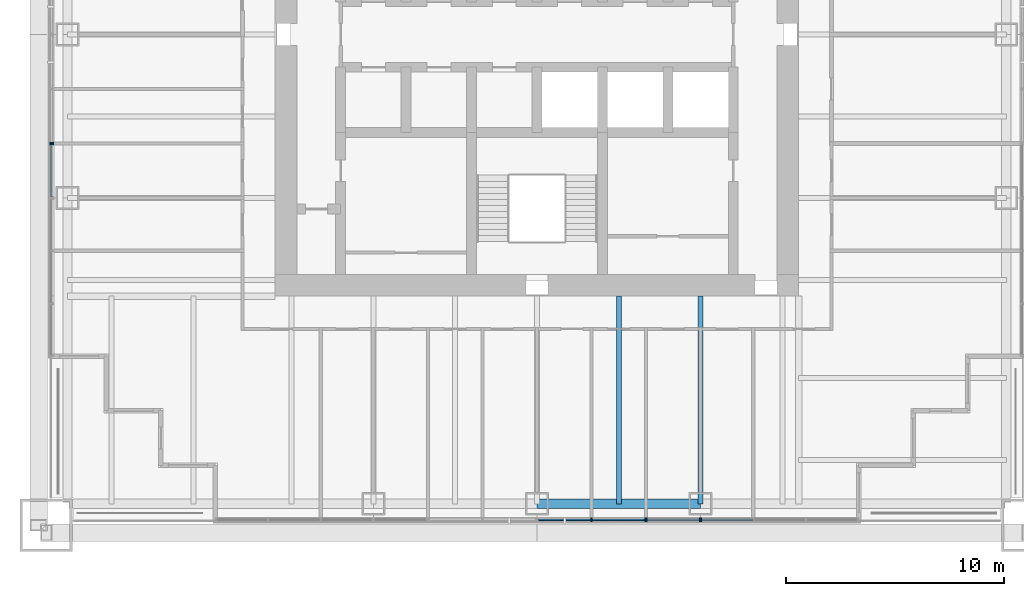
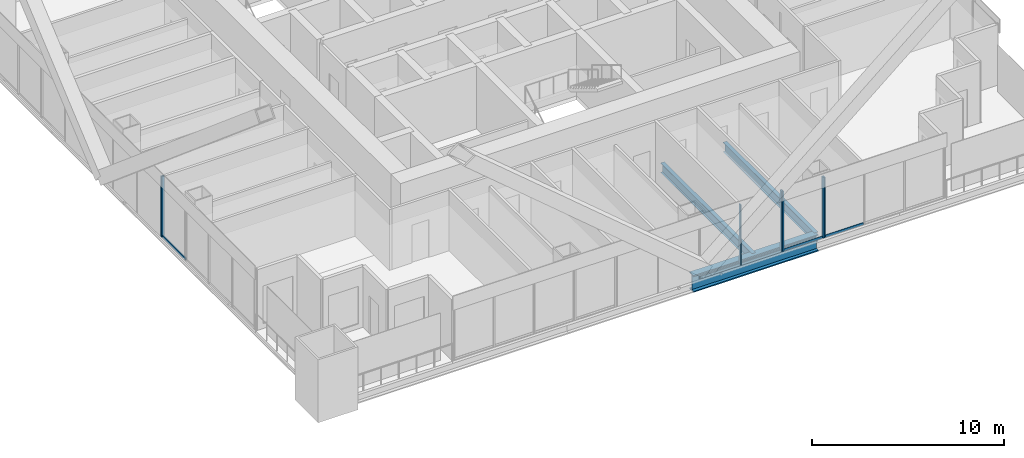
# One storey, part 3 of 17: 12 members, 3 beams, 5 elements without a shape of their own.
"""IFC4 building model written with IfcOpenShell, lengths in metres."""

from ifc_helpers import new_model, si_unit, direction, frame, origin, origin_2d, place, context, subcontext, project, spatial, rectangle, i_section, extrude, material, material_profile, profile_set, type_object, element, aggregate, save


model = new_model("IFC4")

# Units and contexts
model_context = context("Model", 3, precision=1e-05, world=origin(), true_north=direction((0.0, 1.0)))
body_context = subcontext(model_context, "Body", "Model", "MODEL_VIEW")
ifc_project = project(units=[si_unit("LENGTHUNIT", "METRE"), si_unit("AREAUNIT", "SQUARE_METRE"), si_unit("VOLUMEUNIT", "CUBIC_METRE"), si_unit("PLANEANGLEUNIT", "RADIAN"), si_unit("MASSUNIT", "GRAM", prefix="KILO")], contexts=[model_context])

# Site, building, storey
site_placement = place(None, origin())
site = spatial("IfcSite", under=ifc_project, at=site_placement, CompositionType="ELEMENT")
building_placement = place(site_placement, origin())
building = spatial("IfcBuilding", under=site, at=building_placement, Name="Tarangal Relay Tower", CompositionType="ELEMENT")
storey_placement = place(building_placement, frame((0.0, 0.0, 233.89990234375)))
storey = spatial("IfcBuildingStorey", under=building, at=storey_placement, Name="L50", CompositionType="ELEMENT", Elevation=233.89990234375)

# Beams
ifc_material_1 = material(Name="Steel ASTM A992", Category="steel")
ifc_material_profile_1 = material_profile(ifc_material_1, i_section(OverallWidth=0.41650390625, OverallDepth=1.0693359375, WebThickness=0.0390625, FlangeThickness=0.070068359375, at=origin_2d()), Name="W40X503")
ifc_profile_set_1 = profile_set([ifc_material_profile_1], Name="Steel ASTM A992")
beam_type_1 = type_object("IfcBeamType", Name="Edge girder W40X503", PredefinedType="SPANDREL", material=ifc_profile_set_1)
beam_placement = place(storey_placement, frame((7.5, -21.514892578125, -0.6845703125), z_axis=(-1.0, 0.0, 0.0), x_axis=(0.0, -1.0, 0.0)))
element("IfcBeam", 1, at=beam_placement, inside=storey, type_object=beam_type_1, Name="Edge girder EG8 S L50", PredefinedType="SPANDREL", context=body_context, shape_type="SweptSolid", body=[
    extrude(i_section(OverallWidth=0.41650390625, OverallDepth=1.0693359375, WebThickness=0.0390625, FlangeThickness=0.070068359375, at=origin_2d()), origin(), (0.0, 0.0, 1.0), 7.5),
])
ifc_material_profile_2 = material_profile(ifc_material_1, i_section(OverallWidth=0.22900390625, OverallDepth=0.612060546875, WebThickness=0.011962890625, FlangeThickness=0.01953125, at=origin_2d()), Name="W24X84")
ifc_profile_set_2 = profile_set([ifc_material_profile_2], Name="Steel ASTM A992")
beam_type_2 = type_object("IfcBeamType", Name="Floor beam W24X84", PredefinedType="BEAM", material=ifc_profile_set_2)
for number, where, z_axis, x_axis, name in (
    (2, (7.5, -12.0, -0.455810546875), (0.0, -1.0, 0.0), (1.0, 0.0, 0.0), "Floor beam RB12 S L50"),
    (3, (3.75, -12.0, -0.455810546875), (0.0, -1.0, 0.0), (1.0, 0.0, 0.0), "Floor beam RB12 S L50"),
):
    element("IfcBeam", number, at=place(storey_placement, frame(where, z_axis=z_axis, x_axis=x_axis)), inside=storey, type_object=beam_type_2, Name=name, PredefinedType="BEAM", context=body_context, shape_type="SweptSolid", body=[
        extrude(i_section(OverallWidth=0.22900390625, OverallDepth=0.612060546875, WebThickness=0.011962890625, FlangeThickness=0.01953125, at=origin_2d()), origin(), (0.0, 0.0, 1.0), 9.514892578125),
    ])

# Curtain wall, member
ifc_material_2 = material(Name="Unitised curtain wall, dark glass and black aluminium", Category="aluminium")
curtain_wall_type_1 = type_object("IfcCurtainWallType", Name="Curtain wall CW-A", PredefinedType="USERDEFINED", material=ifc_material_2)
curtain_wall_1_placement = place(storey_placement, origin())
curtain_wall_1 = element("IfcCurtainWall", 4, at=curtain_wall_1_placement, inside=storey, type_object=curtain_wall_type_1, Name="Curtain wall CW-A S facade L50", ObjectType="UNITISED CURTAIN WALL", PredefinedType="USERDEFINED")
ifc_material_3 = material(Name="Black anodised aluminium mullion", Category="aluminium")
ifc_material_profile_3 = material_profile(ifc_material_3, rectangle(XDim=0.175048828125, YDim=0.06494140625, at=origin_2d()), Name="CW-AM 65X175")
ifc_profile_set_3 = profile_set([ifc_material_profile_3], Name="Black anodised aluminium mullion")
member_type_1 = type_object("IfcMemberType", Name="Mullion CW-A 65 x 175", PredefinedType="MULLION", material=ifc_profile_set_3)
member_1_placement = place(storey_placement, frame((7.532470703125, -22.25, 0.0), z_axis=(0.0, 0.0, 1.0), x_axis=(0.0, -1.0, 0.0)))
member_1 = element("IfcMember", 5, at=member_1_placement, type_object=member_type_1, Name="CW-A mullion 4", PredefinedType="MULLION", context=body_context, shape_type="SweptSolid", body=[
    extrude(rectangle(XDim=0.175048828125, YDim=0.06494140625, at=origin_2d()), origin(), (0.0, 0.0, 1.0), 3.85009765625),
])

# Curtain wall, members
curtain_wall_2_placement = place(storey_placement, origin())
curtain_wall_2 = element("IfcCurtainWall", 6, at=curtain_wall_2_placement, inside=storey, type_object=curtain_wall_type_1, Name="Curtain wall CW-A S facade L50", ObjectType="UNITISED CURTAIN WALL", PredefinedType="USERDEFINED")
member_2_placement = place(storey_placement, frame((7.467529296875, -22.25, 0.0), z_axis=(0.0, 0.0, 1.0), x_axis=(0.0, -1.0, 0.0)))
member_2 = element("IfcMember", 7, at=member_2_placement, type_object=member_type_1, Name="CW-A mullion 1", PredefinedType="MULLION", context=body_context, shape_type="SweptSolid", body=[
    extrude(rectangle(XDim=0.175048828125, YDim=0.06494140625, at=origin_2d()), origin(), (0.0, 0.0, 1.0), 3.85009765625),
])
member_3_placement = place(storey_placement, frame((5.032470703125, -22.25, 0.0), z_axis=(0.0, 0.0, 1.0), x_axis=(0.0, -1.0, 0.0)))
member_3 = element("IfcMember", 8, at=member_3_placement, type_object=member_type_1, Name="CW-A mullion 2", PredefinedType="MULLION", context=body_context, shape_type="SweptSolid", body=[
    extrude(rectangle(XDim=0.175048828125, YDim=0.06494140625, at=origin_2d()), origin(), (0.0, 0.0, 1.0), 3.85009765625),
])

# Curtain wall, member
curtain_wall_3_placement = place(storey_placement, origin())
curtain_wall_3 = element("IfcCurtainWall", 9, at=curtain_wall_3_placement, inside=storey, type_object=curtain_wall_type_1, Name="Curtain wall CW-A W facade L50", ObjectType="UNITISED CURTAIN WALL", PredefinedType="USERDEFINED")
member_4_placement = place(storey_placement, frame((-22.25, -5.032470703125, 0.0), z_axis=(0.0, 0.0, 1.0), x_axis=(-1.0, 0.0, 0.0)))
member_4 = element("IfcMember", 10, at=member_4_placement, type_object=member_type_1, Name="CW-A mullion 2", PredefinedType="MULLION", context=body_context, shape_type="SweptSolid", body=[
    extrude(rectangle(XDim=0.175048828125, YDim=0.06494140625, at=origin_2d()), origin(), (0.0, 0.0, 1.0), 3.85009765625),
])

# Curtain wall, members
ifc_material_4 = material(Name="Unitised curtain wall frame, black aluminium, with metal clad infill walls", Category="aluminium")
curtain_wall_type_2 = type_object("IfcCurtainWallType", Name="Curtain wall CW-AO", PredefinedType="USERDEFINED", material=ifc_material_4)
curtain_wall_4_placement = place(storey_placement, origin())
curtain_wall_4 = element("IfcCurtainWall", 11, at=curtain_wall_4_placement, inside=storey, type_object=curtain_wall_type_2, Name="Curtain wall CW-AO S facade L50", ObjectType="UNITISED CURTAIN WALL", PredefinedType="USERDEFINED")
ifc_material_profile_4 = material_profile(ifc_material_3, rectangle(XDim=0.175048828125, YDim=0.06494140625, at=origin_2d()), Name="CW-AOM 65X175")
ifc_profile_set_4 = profile_set([ifc_material_profile_4], Name="Black anodised aluminium mullion")
member_type_2 = type_object("IfcMemberType", Name="Mullion CW-AO 65 x 175", PredefinedType="MULLION", material=ifc_profile_set_4)
member_5_placement = place(storey_placement, frame((4.967529296875, -22.25, 0.0), z_axis=(0.0, 0.0, 1.0), x_axis=(0.0, -1.0, 0.0)))
member_5 = element("IfcMember", 12, at=member_5_placement, type_object=member_type_2, Name="CW-AO mullion 1", PredefinedType="MULLION", context=body_context, shape_type="SweptSolid", body=[
    extrude(rectangle(XDim=0.175048828125, YDim=0.06494140625, at=origin_2d()), origin(), (0.0, 0.0, 1.0), 3.85009765625),
])
member_6_placement = place(storey_placement, frame((2.5, -22.25, 0.0), z_axis=(0.0, 0.0, 1.0), x_axis=(0.0, -1.0, 0.0)))
member_6 = element("IfcMember", 13, at=member_6_placement, type_object=member_type_2, Name="CW-AO mullion 2", PredefinedType="MULLION", context=body_context, shape_type="SweptSolid", body=[
    extrude(rectangle(XDim=0.175048828125, YDim=0.06494140625, at=origin_2d()), origin(), (0.0, 0.0, 1.0), 3.85009765625),
])

# Curtain wall, member
curtain_wall_5_placement = place(storey_placement, origin())
curtain_wall_5 = element("IfcCurtainWall", 14, at=curtain_wall_5_placement, inside=storey, type_object=curtain_wall_type_2, Name="Curtain wall CW-AO W facade L50", ObjectType="UNITISED CURTAIN WALL", PredefinedType="USERDEFINED")
member_7_placement = place(storey_placement, frame((-22.25, -4.967529296875, 0.0), z_axis=(0.0, 0.0, 1.0), x_axis=(-1.0, 0.0, 0.0)))
member_7 = element("IfcMember", 15, at=member_7_placement, type_object=member_type_2, Name="CW-AO mullion 1", PredefinedType="MULLION", context=body_context, shape_type="SweptSolid", body=[
    extrude(rectangle(XDim=0.175048828125, YDim=0.06494140625, at=origin_2d()), origin(), (0.0, 0.0, 1.0), 3.85009765625),
])
aggregate(curtain_wall_5, [member_7])

# Member
ifc_material_5 = material(Name="Black anodised aluminium transom", Category="aluminium")
ifc_material_profile_5 = material_profile(ifc_material_5, rectangle(XDim=0.06494140625, YDim=0.14990234375, at=origin_2d()), Name="CW-AT 65X150")
ifc_profile_set_5 = profile_set([ifc_material_profile_5], Name="Black anodised aluminium transom")
member_type_3 = type_object("IfcMemberType", Name="Transom CW-A 65 x 150", PredefinedType="USERDEFINED", material=ifc_profile_set_5)
member_8_placement = place(storey_placement, frame((9.88427734375, -22.25, 0.03271484375), z_axis=(-1.0, 0.0, 0.0), x_axis=(0.0, -1.0, 0.0)))
member_8 = element("IfcMember", 16, at=member_8_placement, type_object=member_type_3, Name="CW-A transom 3.1", ObjectType="TRANSOM", PredefinedType="USERDEFINED", context=body_context, shape_type="SweptSolid", body=[
    extrude(rectangle(XDim=0.06494140625, YDim=0.14990234375, at=origin_2d()), origin(), (0.0, 0.0, 1.0), 2.3193359375),
])

aggregate(curtain_wall_1, [member_1, member_8])

member_9_placement = place(storey_placement, frame((7.43505859375, -22.25, 0.03271484375), z_axis=(-1.0, 0.0, 0.0), x_axis=(0.0, -1.0, 0.0)))
member_9 = element("IfcMember", 17, at=member_9_placement, type_object=member_type_3, Name="CW-A transom 1.1", ObjectType="TRANSOM", PredefinedType="USERDEFINED", context=body_context, shape_type="SweptSolid", body=[
    extrude(rectangle(XDim=0.06494140625, YDim=0.14990234375, at=origin_2d()), origin(), (0.0, 0.0, 1.0), 2.3701171875),
])

aggregate(curtain_wall_2, [member_2, member_3, member_9])

member_10_placement = place(storey_placement, frame((-22.25, -7.43505859375, 0.03271484375), z_axis=(0.0, 1.0, 0.0), x_axis=(-1.0, 0.0, 0.0)))
member_10 = element("IfcMember", 18, at=member_10_placement, type_object=member_type_3, Name="CW-A transom 1.1", ObjectType="TRANSOM", PredefinedType="USERDEFINED", context=body_context, shape_type="SweptSolid", body=[
    extrude(rectangle(XDim=0.06494140625, YDim=0.14990234375, at=origin_2d()), origin(), (0.0, 0.0, 1.0), 2.3701171875),
])

aggregate(curtain_wall_3, [member_4, member_10])

ifc_material_profile_6 = material_profile(ifc_material_5, rectangle(XDim=0.06494140625, YDim=0.14990234375, at=origin_2d()), Name="CW-AOT 65X150")
ifc_profile_set_6 = profile_set([ifc_material_profile_6], Name="Black anodised aluminium transom")
member_type_4 = type_object("IfcMemberType", Name="Transom CW-AO 65 x 150", PredefinedType="USERDEFINED", material=ifc_profile_set_6)
member_11_placement = place(storey_placement, frame((4.93505859375, -22.25, 0.03271484375), z_axis=(-1.0, 0.0, 0.0), x_axis=(0.0, -1.0, 0.0)))
member_11 = element("IfcMember", 19, at=member_11_placement, type_object=member_type_4, Name="CW-AO transom 1.1", ObjectType="TRANSOM", PredefinedType="USERDEFINED", context=body_context, shape_type="SweptSolid", body=[
    extrude(rectangle(XDim=0.06494140625, YDim=0.14990234375, at=origin_2d()), origin(), (0.0, 0.0, 1.0), 2.402587890625),
])

member_12_placement = place(storey_placement, frame((2.467529296875, -22.25, 0.03271484375), z_axis=(-1.0, 0.0, 0.0), x_axis=(0.0, -1.0, 0.0)))
member_12 = element("IfcMember", 20, at=member_12_placement, type_object=member_type_4, Name="CW-AO transom 2.1", ObjectType="TRANSOM", PredefinedType="USERDEFINED", context=body_context, shape_type="SweptSolid", body=[
    extrude(rectangle(XDim=0.06494140625, YDim=0.14990234375, at=origin_2d()), origin(), (0.0, 0.0, 1.0), 2.402587890625),
])

aggregate(curtain_wall_4, [member_5, member_6, member_11, member_12])

save(model, "model.ifc")
